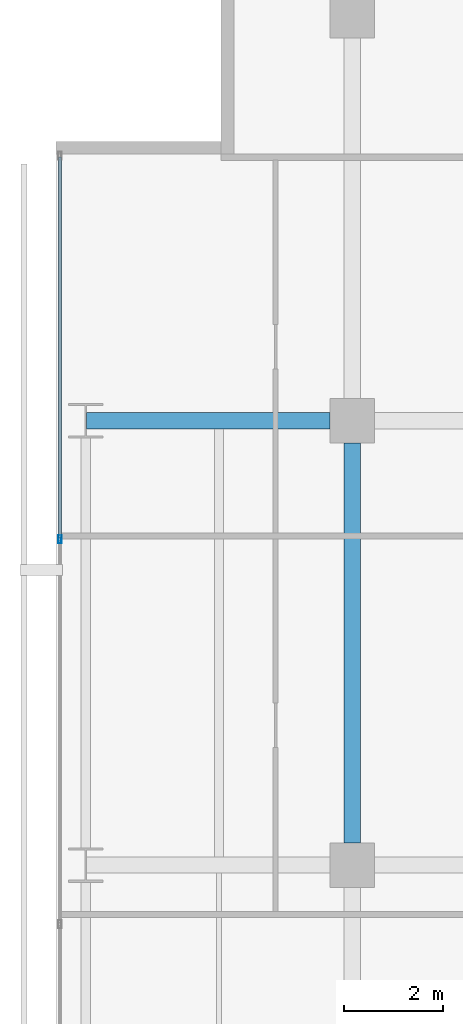
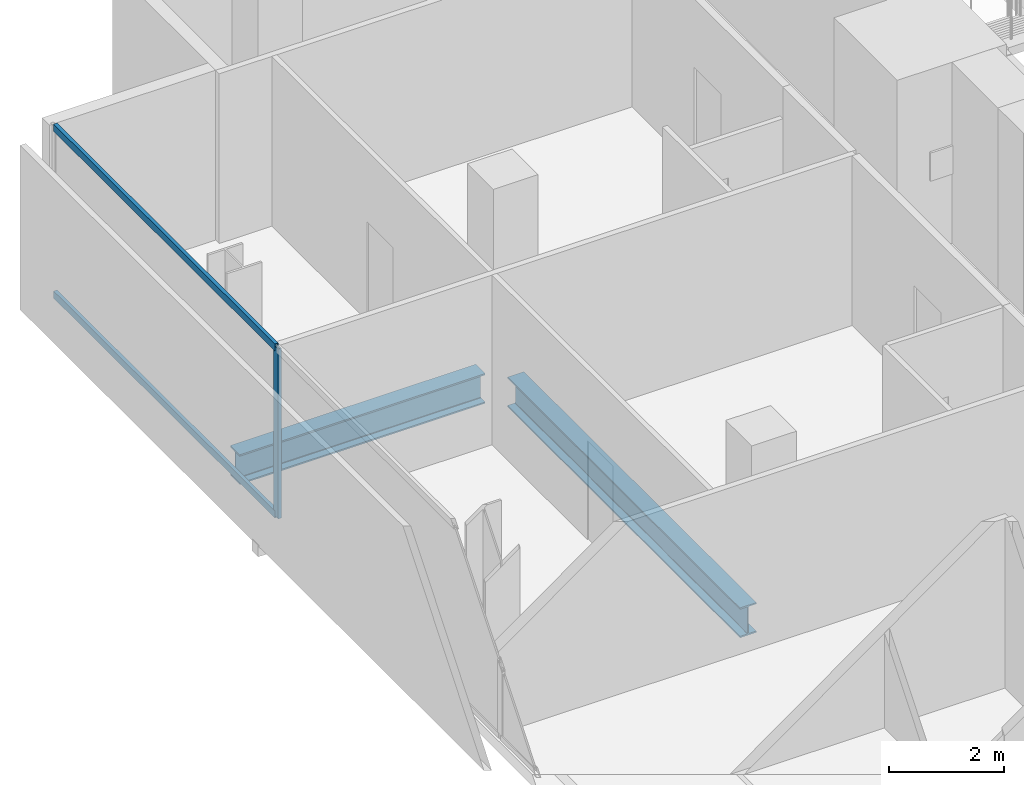
# One storey, part 23 of 40: 3 members, 2 beams, 1 element without a shape of its own.
"""IFC4 building model written with IfcOpenShell, lengths in metres."""

from ifc_helpers import new_model, si_unit, direction, frame, origin, origin_2d, place, context, subcontext, project, spatial, hollow_rectangle, i_section, extrude, material, layer, layer_set, material_profile, profile_set, type_object, element, aggregate, save


model = new_model("IFC4")

# Units and contexts
model_context = context("Model", 3, precision=1e-05, world=origin(), true_north=direction((0.0, 1.0)))
body_context = subcontext(model_context, "Body", "Model", "MODEL_VIEW")
ifc_project = project(units=[si_unit("LENGTHUNIT", "METRE"), si_unit("AREAUNIT", "SQUARE_METRE"), si_unit("VOLUMEUNIT", "CUBIC_METRE"), si_unit("PLANEANGLEUNIT", "RADIAN"), si_unit("MASSUNIT", "GRAM", prefix="KILO")], contexts=[model_context])

# Site, building, storey
site_placement = place(None, origin())
site = spatial("IfcSite", under=ifc_project, at=site_placement, CompositionType="ELEMENT")
building_placement = place(site_placement, origin())
building = spatial("IfcBuilding", under=site, at=building_placement, Name="Maruvema Waterfront Hotel and Observation Tower", CompositionType="ELEMENT")
storey_placement = place(building_placement, frame((0.0, 0.0, 30.800048828125)))
storey = spatial("IfcBuildingStorey", under=building, at=storey_placement, Name="L06", CompositionType="ELEMENT", Elevation=30.800048828125)

# Curtain wall, members
ifc_material_1 = material(Name="Anodised bronze aluminium and solar-control low-E IGU", Category="aluminium")
ifc_layer = layer(ifc_material_1, 0.159912109375, Name="Zone 1 Bronze Inner Thermal Curtain Wall System CW-02")
ifc_layer_set = layer_set([ifc_layer], Name="Anodised bronze aluminium and solar-control low-E IGU")
curtain_wall_type = type_object("IfcCurtainWallType", Name="Zone 1 Bronze Inner Thermal Curtain Wall System CW-02", PredefinedType="USERDEFINED", material=ifc_layer_set)
curtain_wall_placement = place(storey_placement, origin())
curtain_wall = element("IfcCurtainWall", 1, at=curtain_wall_placement, inside=storey, type_object=curtain_wall_type, Name="L06 Curtain Wall CW-L06-W", ObjectType="UNITISED CURTAIN WALL", PredefinedType="USERDEFINED")
ifc_material_2 = material(Name="Anodised architectural bronze aluminium", Category="aluminium")
ifc_material_profile_1 = material_profile(ifc_material_2, hollow_rectangle(XDim=0.070068359375, YDim=0.14990234375, WallThickness=0.00390625, at=origin_2d()), Name="ALU-T70x150")
ifc_profile_set_1 = profile_set([ifc_material_profile_1], Name="Anodised architectural bronze aluminium")
member_type_1 = type_object("IfcMemberType", Name="Curtain Wall Horizontal Transom ALU-T70x150", PredefinedType="USERDEFINED", material=ifc_profile_set_1)
member_1_placement = place(storey_placement, frame((10.8798828125, 50.340087890625, 0.030029296875), z_axis=(0.0, -1.0, 0.0), x_axis=(1.0, 0.0, 0.0)))
member_1 = element("IfcMember", 2, at=member_1_placement, type_object=member_type_1, Name="CW-02 transom 1.1", ObjectType="TRANSOM", PredefinedType="USERDEFINED", context=body_context, shape_type="SweptSolid", body=[
    extrude(hollow_rectangle(XDim=0.070068359375, YDim=0.14990234375, WallThickness=0.00390625, at=origin_2d()), origin(), (0.0, 0.0, 1.0), 7.710205078125),
])
member_2_placement = place(storey_placement, frame((10.8798828125, 50.340087890625, 3.579833984375), z_axis=(0.0, -1.0, 0.0), x_axis=(1.0, 0.0, 0.0)))
member_2 = element("IfcMember", 3, at=member_2_placement, type_object=member_type_1, Name="CW-02 transom 1.2", ObjectType="TRANSOM", PredefinedType="USERDEFINED", context=body_context, shape_type="SweptSolid", body=[
    extrude(hollow_rectangle(XDim=0.070068359375, YDim=0.14990234375, WallThickness=0.00390625, at=origin_2d()), origin(), (0.0, 0.0, 1.0), 7.710205078125),
])
ifc_material_3 = material(Name="Anodised architectural bronze aluminium", Category="aluminium")
ifc_material_profile_2 = material_profile(ifc_material_3, hollow_rectangle(XDim=0.06494140625, YDim=0.1650390625, WallThickness=0.00390625, at=origin_2d()), Name="ALU-M65x165")
ifc_profile_set_2 = profile_set([ifc_material_profile_2], Name="Anodised architectural bronze aluminium")
member_type_2 = type_object("IfcMemberType", Name="Curtain Wall Primary Mullion ALU-M65x165", PredefinedType="MULLION", material=ifc_profile_set_2)
member_3_placement = place(storey_placement, frame((10.8798828125, 42.60009765625, 0.0), z_axis=(0.0, 0.0, 1.0), x_axis=(1.0, 0.0, 0.0)))
member_3 = element("IfcMember", 4, at=member_3_placement, type_object=member_type_2, Name="CW-02 mullion 2", PredefinedType="MULLION", context=body_context, shape_type="SweptSolid", body=[
    extrude(hollow_rectangle(XDim=0.06494140625, YDim=0.1650390625, WallThickness=0.00390625, at=origin_2d()), origin(), (0.0, 0.0, 1.0), 3.60986328125),
])
aggregate(curtain_wall, [member_3, member_1, member_2])

# Beams
ifc_material_4 = material(Name="Steel ASTM A572 Grade 50", Category="steel")
ifc_material_profile_3 = material_profile(ifc_material_4, i_section(OverallWidth=0.3291015625, OverallDepth=0.635009765625, WebThickness=0.017822265625, FlangeThickness=0.031005859375, FilletRadius=0.01806640625, at=origin_2d()), Name="W610x241.0")
ifc_profile_set_3 = profile_set([ifc_material_profile_3], Name="Steel ASTM A572 Grade 50")
beam_type = type_object("IfcBeamType", Name="Primary Floor Girder W610x241.0", PredefinedType="BEAM", material=ifc_profile_set_3)
beam_1_placement = place(storey_placement, frame((11.4140625, 45.0, -0.5576171875), z_axis=(1.0, 0.0, 0.0), x_axis=(0.0, 1.0, 0.0)))
element("IfcBeam", 5, at=beam_1_placement, inside=storey, type_object=beam_type, Name="L06 Floor Girder EW-32", PredefinedType="BEAM", context=body_context, shape_type="SweptSolid", body=[
    extrude(i_section(OverallWidth=0.3291015625, OverallDepth=0.635009765625, WebThickness=0.017822265625, FlangeThickness=0.031005859375, FilletRadius=0.01806640625, at=origin_2d()), origin(), (0.0, 0.0, 1.0), 4.93603515625),
])
beam_2_placement = place(storey_placement, frame((16.800048828125, 36.449951171875, -0.5576171875), z_axis=(0.0, 1.0, 0.0), x_axis=(-1.0, 0.0, 0.0)))
element("IfcBeam", 6, at=beam_2_placement, inside=storey, type_object=beam_type, Name="L06 Floor Girder NS-09", PredefinedType="BEAM", context=body_context, shape_type="SweptSolid", body=[
    extrude(i_section(OverallWidth=0.3291015625, OverallDepth=0.635009765625, WebThickness=0.017822265625, FlangeThickness=0.031005859375, FilletRadius=0.01806640625, at=origin_2d()), origin(), (0.0, 0.0, 1.0), 8.10009765625),
])

save(model, "model.ifc")
